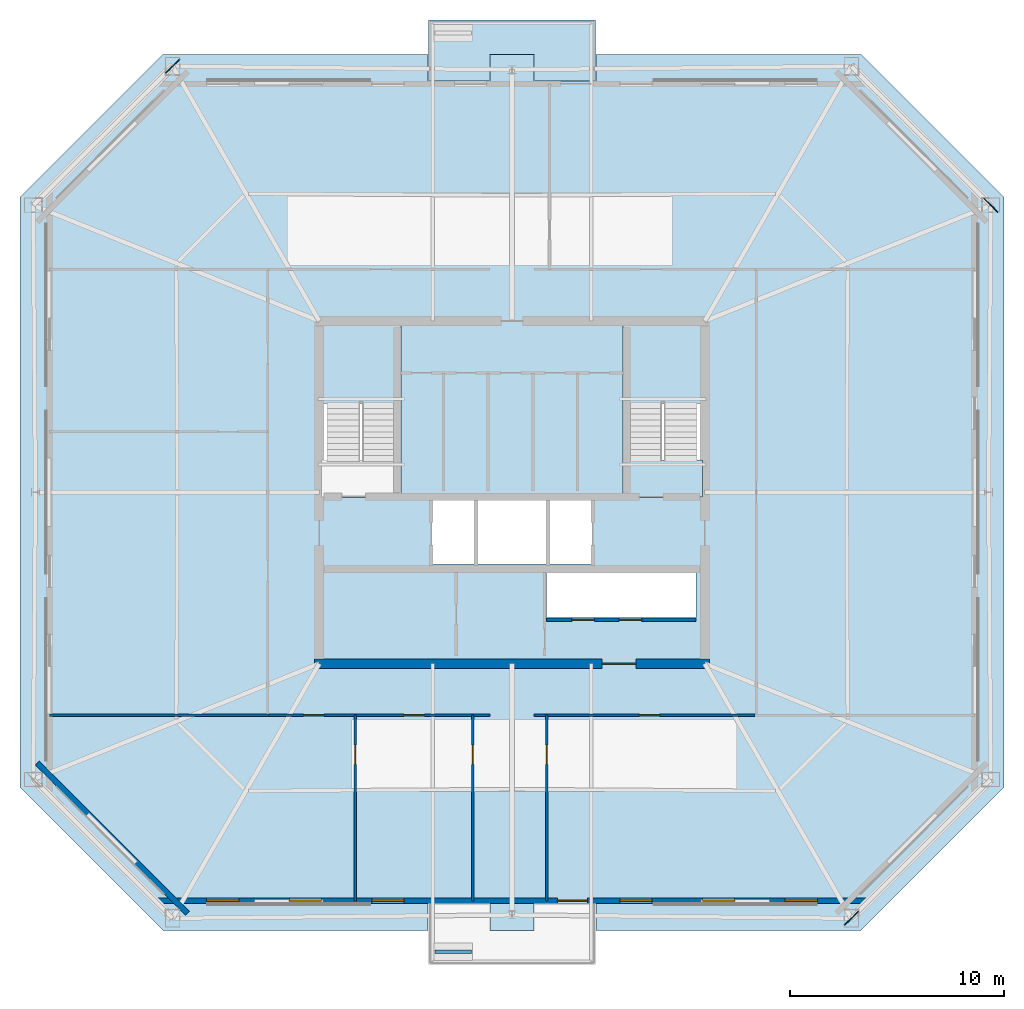
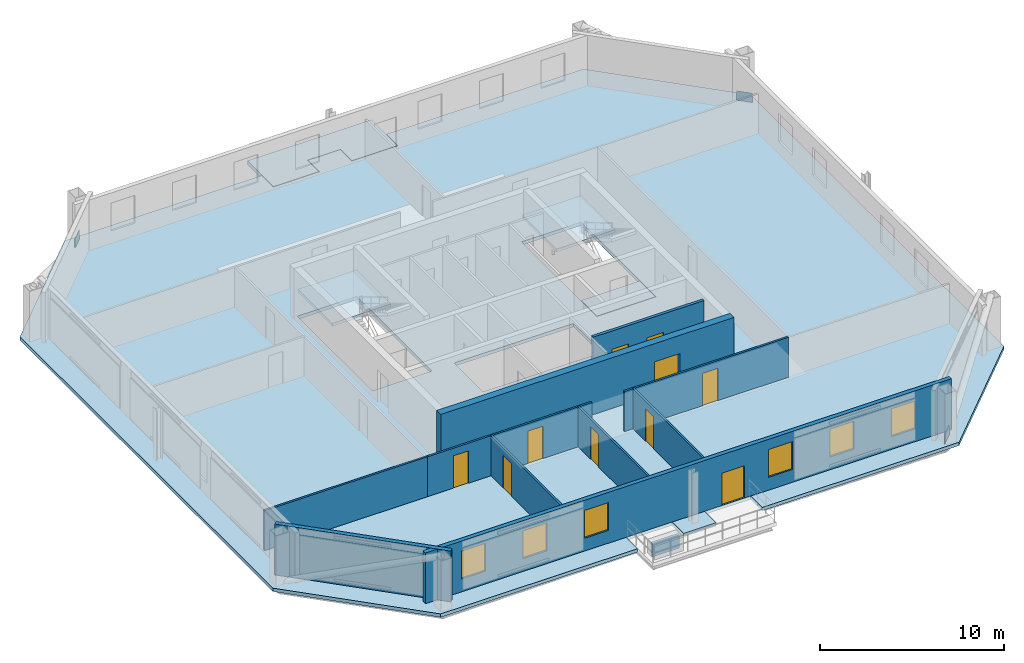
# One storey, part 2 of 7: 11 walls, 10 doors, 6 windows, 5 slabs, 3 plates, 16 openings, 2 elements without a shape of their own.
"""IFC4 building model written with IfcOpenShell, lengths in metres."""

from ifc_helpers import new_model, si_unit, direction, frame, frame_2d, origin, origin_2d, place, context, subcontext, project, spatial, polyline, rectangle, outline, extrude, material, layer, layer_set, type_object, element, fill, aggregate, save


model = new_model("IFC4")

# Units and contexts
model_context = context("Model", 3, precision=1e-05, world=origin(), true_north=direction((0.0, 1.0)))
body_context = subcontext(model_context, "Body", "Model", "MODEL_VIEW")
ifc_project = project(units=[si_unit("LENGTHUNIT", "METRE"), si_unit("AREAUNIT", "SQUARE_METRE"), si_unit("VOLUMEUNIT", "CUBIC_METRE"), si_unit("PLANEANGLEUNIT", "RADIAN"), si_unit("MASSUNIT", "GRAM", prefix="KILO")], contexts=[model_context])

# Site, building, storey
site_placement = place(None, origin())
site = spatial("IfcSite", under=ifc_project, at=site_placement, CompositionType="ELEMENT")
building_placement = place(site_placement, origin())
building = spatial("IfcBuilding", under=site, at=building_placement, Name="Caelvoria Tower", CompositionType="ELEMENT")
storey_placement = place(building_placement, frame((0.0, 0.0, 191.39990234375)))
storey = spatial("IfcBuildingStorey", under=building, at=storey_placement, Name="L50", CompositionType="ELEMENT", Elevation=191.39990234375)

# Plates
ifc_material_1 = material(Name="Structural Steel ASTM A572 Gr.50", Category="steel")
ifc_layer_1 = layer(ifc_material_1, 0.0400390625, Name="Structural Steel ASTM A572 Gr.50")
ifc_layer_set_1 = layer_set([ifc_layer_1], Name="Megaframe Node Gusset Plate 900x600x40 - Structural Steel ASTM A572 Gr.50")
plate_type = type_object("IfcPlateType", Name="Megaframe Node Gusset Plate 900x600x40", PredefinedType="USERDEFINED", material=ifc_layer_set_1)
for number, where, z_axis, x_axis, name in (
    (1, (61.851318359375, 12.10302734375, 0.02001953125), (0.0, 0.0, 1.0), (0.708405129544, 0.705806044488, 0.0), "Chamfer Mega Brace Gusset L50 SE"),
    (2, (68.362548828125, 45.40966796875, 0.02001953125), (0.0, 0.0, 1.0), (-0.708405129544, 0.705806044488, 0.0), "Chamfer Mega Brace Gusset L50 NE"),
    (3, (30.148681640625, 51.89697265625, 0.02001953125), (0.0, 0.0, 1.0), (-0.708405129544, -0.705806044488, 0.0), "Chamfer Mega Brace Gusset L50 NW"),
):
    element("IfcPlate", number, at=place(storey_placement, frame(where, z_axis=z_axis, x_axis=x_axis)), inside=storey, type_object=plate_type, Name=name, ObjectType="GUSSET_PLATE", PredefinedType="USERDEFINED", context=body_context, shape_type="SweptSolid", body=[
        extrude(rectangle(XDim=0.89990234375, YDim=0.0400390625, at=origin_2d()), origin(), (0.0, 0.0, 1.0), 0.60009765625),
    ])

# Stair, slab
ifc_material_2 = material(Name="Concrete C40/50", Category="concrete")
stair_type = type_object("IfcStairType", Name="Core Smokeproof Dogleg Stair Concrete C40/50", PredefinedType="HALF_TURN_STAIR", material=ifc_material_2)
stair_1_placement = place(storey_placement, origin())
stair_1 = element("IfcStair", 4, at=stair_1_placement, inside=storey, type_object=stair_type, Name="ST-01 Smokeproof Exit Stair L50", PredefinedType="HALF_TURN_STAIR")
ifc_layer_2 = layer(ifc_material_2, 0.199951171875, Name="Concrete C40/50")
ifc_layer_set_2 = layer_set([ifc_layer_2], Name="Stair Half and Floor Landing Slab 200 Concrete C40/50 - Concrete C40/50")
slab_type_1 = type_object("IfcSlabType", Name="Stair Half and Floor Landing Slab 200 Concrete C40/50", PredefinedType="LANDING", material=ifc_layer_set_2)
slab_1_placement = place(storey_placement, frame((0.0, 0.0, 1.60009765625)))
slab_1 = element("IfcSlab", 5, at=slab_1_placement, type_object=slab_type_1, Name="ST-01 landing 2", PredefinedType="LANDING", context=body_context, shape_type="SweptSolid", body=[
    extrude(outline(polyline([(37.10009765625, 36.14990234375), (40.800048828125, 36.14990234375), (40.800048828125, 39.89990234375), (37.10009765625, 39.89990234375), (37.10009765625, 36.14990234375)])), origin(), (0.0, 0.0, 1.0), 0.199951171875),
])
aggregate(stair_1, [slab_1])

# Stair, slabs
stair_2_placement = place(storey_placement, origin())
stair_2 = element("IfcStair", 6, at=stair_2_placement, inside=storey, type_object=stair_type, Name="ST-02 Smokeproof Exit Stair L50", PredefinedType="HALF_TURN_STAIR")
slab_2_placement = place(storey_placement, frame((0.0, 0.0, -0.199951171875)))
slab_2 = element("IfcSlab", 7, at=slab_2_placement, type_object=slab_type_1, Name="ST-02 landing 1", PredefinedType="LANDING", context=body_context, shape_type="SweptSolid", body=[
    extrude(outline(polyline([(51.199951171875, 31.77001953125), (54.89990234375, 31.77001953125), (54.89990234375, 33.5), (51.199951171875, 33.5), (51.199951171875, 31.77001953125)])), origin(), (0.0, 0.0, 1.0), 0.199951171875),
])
slab_3_placement = place(storey_placement, frame((0.0, 0.0, 1.60009765625)))
slab_3 = element("IfcSlab", 8, at=slab_3_placement, type_object=slab_type_1, Name="ST-02 landing 2", PredefinedType="LANDING", context=body_context, shape_type="SweptSolid", body=[
    extrude(outline(polyline([(51.199951171875, 36.14990234375), (54.89990234375, 36.14990234375), (54.89990234375, 39.89990234375), (51.199951171875, 39.89990234375), (51.199951171875, 36.14990234375)])), origin(), (0.0, 0.0, 1.0), 0.199951171875),
])
aggregate(stair_2, [slab_2, slab_3])

# Slabs
ifc_material_3 = material(Name="Concrete C45/55", Category="concrete")
ifc_layer_3 = layer(ifc_material_3, 0.25, Name="Concrete C45/55")
ifc_layer_set_3 = layer_set([ifc_layer_3], Name="Tree Balcony Structural Planter Slab 250 - Concrete C45/55")
slab_type_2 = type_object("IfcSlabType", Name="Tree Balcony Structural Planter Slab 250", PredefinedType="FLOOR", material=ifc_layer_set_3)
slab_4_placement = place(storey_placement, frame((0.0, 0.0, -0.25)))
element("IfcSlab", 9, at=slab_4_placement, inside=storey, type_object=slab_type_2, Name="Tree Balcony Slab TB-L50-N", PredefinedType="FLOOR", context=body_context, shape_type="SweptSolid", body=[
    extrude(outline(polyline([(42.10009765625, 54.06005859375), (42.10009765625, 52.4599609375), (42.10009765625, 51.219970703125), (44.9599609375, 51.219970703125), (44.9599609375, 52.4599609375), (47.0400390625, 52.4599609375), (47.0400390625, 51.219970703125), (49.89990234375, 51.219970703125), (49.89990234375, 52.4599609375), (49.89990234375, 54.06005859375), (42.10009765625, 54.06005859375)])), origin(), (0.0, 0.0, 1.0), 0.25),
])
ifc_layer_4 = layer(ifc_material_2, 0.22509765625, Name="Concrete C40/50")
ifc_layer_set_4 = layer_set([ifc_layer_4], Name="Upper Tower Composite Office Slab 225 - Concrete C40/50")
slab_type_3 = type_object("IfcSlabType", Name="Upper Tower Composite Office Slab 225", PredefinedType="FLOOR", material=ifc_layer_set_4)
slab_5_placement = place(storey_placement, frame((0.0, 0.0, -0.224853515625)))
element("IfcSlab", 10, at=slab_5_placement, inside=storey, type_object=slab_type_3, Name="Level L50 Structural Floor Slab", PredefinedType="FLOOR", context=body_context, shape_type="SweptSolid", body=[
    extrude(outline(polyline([(23.02001953125, 45.780029296875), (23.02001953125, 18.219970703125), (29.699951171875, 11.5400390625), (42.080078125, 11.5400390625), (42.080078125, 12.800048828125), (44.97998046875, 12.800048828125), (44.97998046875, 11.5400390625), (47.02001953125, 11.5400390625), (47.02001953125, 12.800048828125), (49.919921875, 12.800048828125), (49.919921875, 11.5400390625), (62.300048828125, 11.5400390625), (68.97998046875, 18.219970703125), (68.97998046875, 45.780029296875), (62.300048828125, 52.4599609375), (49.919921875, 52.4599609375), (49.919921875, 51.199951171875), (47.02001953125, 51.199951171875), (47.02001953125, 52.4599609375), (44.97998046875, 52.4599609375), (44.97998046875, 51.199951171875), (42.080078125, 51.199951171875), (42.080078125, 52.4599609375), (29.699951171875, 52.4599609375), (23.02001953125, 45.780029296875)]), holes=[polyline([(37.080078125, 31.75), (40.820068359375, 31.75), (40.820068359375, 39.919921875), (37.080078125, 39.919921875), (37.080078125, 31.75)]), polyline([(51.179931640625, 31.75), (54.919921875, 31.75), (54.919921875, 39.919921875), (51.179931640625, 39.919921875), (51.179931640625, 31.75)]), polyline([(42.25, 28.64990234375), (49.75, 28.64990234375), (49.75, 31.800048828125), (42.25, 31.800048828125), (42.25, 28.64990234375)]), polyline([(47.60009765625, 26.14990234375), (54.60009765625, 26.14990234375), (54.60009765625, 28.25), (47.60009765625, 28.25), (47.60009765625, 26.14990234375)])]), origin(), (0.0, 0.0, 1.0), 0.224853515625),
])

# Wall
ifc_material_4 = material(Name="Bronze-Clad Concrete C40/50", Category="concrete")
ifc_layer_5 = layer(ifc_material_4, 0.179931640625, Name="Bronze-Clad Concrete C40/50")
ifc_layer_set_5 = layer_set([ifc_layer_5], Name="Architectural Planter Kerb Wall 180 - Bronze-Clad Concrete C40/50")
wall_type_1 = type_object("IfcWallType", Name="Architectural Planter Kerb Wall 180", PredefinedType="PARAPET", material=ifc_layer_set_5)
wall_1_placement = place(storey_placement, frame((42.39990234375, 10.5400390625, 0.0), z_axis=(0.0, 0.0, 1.0), x_axis=(1.0, 0.0, 0.0)))
element("IfcWall", 11, at=wall_1_placement, inside=storey, type_object=wall_type_1, Name="Tree Balcony Planter Kerb PLANTER TB-L50-S", PredefinedType="PARAPET", context=body_context, shape_type="SweptSolid", body=[
    extrude(rectangle(XDim=1.7001953125, YDim=0.179931640625, at=frame_2d((0.85009765625, 0.0))), origin(), (0.0, 0.0, 1.0), 0.880126953125),
])

# Wall, openings, doors
ifc_material_5 = material(Name="Concrete Block and Fireboard Assembly", Category="concrete")
ifc_layer_6 = layer(ifc_material_5, 0.179931640625, Name="Concrete Block and Fireboard Assembly")
ifc_layer_set_6 = layer_set([ifc_layer_6], Name="Fire-Rated Hoistway Partition Wall 180 - Concrete Block and Fireboard Assembly")
wall_type_2 = type_object("IfcWallType", Name="Fire-Rated Hoistway Partition Wall 180", PredefinedType="PARTITIONING", material=ifc_layer_set_6)
wall_2_placement = place(storey_placement, frame((47.60009765625, 26.050048828125, 0.0), z_axis=(0.0, 0.0, 1.0), x_axis=(1.0, 0.0, 0.0)))
wall_2 = element("IfcWall", 12, at=wall_2_placement, inside=storey, type_object=wall_type_2, Name="Interior Partition IW-L50-LFRONT", PredefinedType="PARTITIONING", context=body_context, shape_type="SweptSolid", body=[
    extrude(rectangle(XDim=7.0, YDim=0.179931640625, at=frame_2d((3.5, 0.0))), origin(), (0.0, 0.0, 1.0), 3.375),
])
opening_1_placement = place(wall_2_placement, frame((1.199951171875, 0.0, 0.0)))
opening_1 = element("IfcOpeningElement", 13, at=opening_1_placement, cuts=wall_2, Name="Opening LD-01", PredefinedType="OPENING", context=body_context, shape_type="SweptSolid", body=[
    extrude(rectangle(XDim=1.050048828125, YDim=2.14990234375, at=frame_2d((0.52490234375, 1.074951171875))), frame((0.0, 0.099853515625, 0.0), z_axis=(0.0, -1.0, 0.0), x_axis=(1.0, 0.0, 0.0)), (0.0, 0.0, 1.0), 0.199951171875),
])
opening_2_placement = place(wall_2_placement, frame((3.39990234375, 0.0, 0.0)))
opening_2 = element("IfcOpeningElement", 14, at=opening_2_placement, cuts=wall_2, Name="Opening LD-01", PredefinedType="OPENING", context=body_context, shape_type="SweptSolid", body=[
    extrude(rectangle(XDim=1.050048828125, YDim=2.14990234375, at=frame_2d((0.52490234375, 1.074951171875))), frame((0.0, 0.099853515625, 0.0), z_axis=(0.0, -1.0, 0.0), x_axis=(1.0, 0.0, 0.0)), (0.0, 0.0, 1.0), 0.199951171875),
])
ifc_material_6 = material(Name="Brushed Bronze Stainless Sliding Landing Door", Category="aluminium")
door_type_1 = type_object("IfcDoorType", Name="Lift Landing Sliding Door 1100x2150", OperationType="NOTDEFINED", PredefinedType="DOOR", material=ifc_material_6)
door_1_placement = place(opening_1_placement, origin())
door_1 = element("IfcDoor", 15, at=door_1_placement, inside=storey, type_object=door_type_1, Name="Interior Door LD-L50-PH1", OperationType="SLIDING_TO_LEFT", OverallHeight=2.14990234375, OverallWidth=1.050048828125, PredefinedType="DOOR", context=body_context, shape_type="SweptSolid", body=[
    extrude(rectangle(XDim=1.050048828125, YDim=2.14990234375, at=frame_2d((0.52490234375, 1.074951171875))), frame((0.0, 0.02490234375, 0.0), z_axis=(0.0, -1.0, 0.0), x_axis=(1.0, 0.0, 0.0)), (0.0, 0.0, 1.0), 0.050048828125),
])
fill(opening_1, door_1)
door_2_placement = place(opening_2_placement, origin())
door_2 = element("IfcDoor", 16, at=door_2_placement, inside=storey, type_object=door_type_1, Name="Interior Door LD-L50-PH2", OperationType="SLIDING_TO_RIGHT", OverallHeight=2.14990234375, OverallWidth=1.050048828125, PredefinedType="DOOR", context=body_context, shape_type="SweptSolid", body=[
    extrude(rectangle(XDim=1.050048828125, YDim=2.14990234375, at=frame_2d((0.52490234375, 1.074951171875))), frame((0.0, 0.02490234375, 0.0), z_axis=(0.0, -1.0, 0.0), x_axis=(1.0, 0.0, 0.0)), (0.0, 0.0, 1.0), 0.050048828125),
])
fill(opening_2, door_2)

# Wall, opening, door
ifc_material_7 = material(Name="Acoustic Gypsum Board on Light-Gauge Stud", Category="gypsum")
ifc_layer_7 = layer(ifc_material_7, 0.1201171875, Name="Acoustic Gypsum Board on Light-Gauge Stud")
ifc_layer_set_7 = layer_set([ifc_layer_7], Name="Tenant Suite Acoustic Partition Wall 120 - Acoustic Gypsum Board on Light-Gauge Stud")
wall_type_3 = type_object("IfcWallType", Name="Tenant Suite Acoustic Partition Wall 120", PredefinedType="PARTITIONING", material=ifc_layer_set_7)
wall_3_placement = place(storey_placement, frame((38.687255859375, 21.590087890625, 0.0), z_axis=(0.0, 0.0, 1.0), x_axis=(0.0, -1.0, 0.0)))
wall_3 = element("IfcWall", 17, at=wall_3_placement, inside=storey, type_object=wall_type_3, Name="Interior Partition IW-L50-SD-00-0", PredefinedType="PARTITIONING", context=body_context, shape_type="SweptSolid", body=[
    extrude(rectangle(XDim=8.670166015625, YDim=0.1201171875, at=frame_2d((4.3349609375, 0.0))), origin(), (0.0, 0.0, 1.0), 2.655029296875),
])
opening_3_placement = place(wall_3_placement, frame((1.39990234375, 0.0, 0.0)))
opening_3 = element("IfcOpeningElement", 18, at=opening_3_placement, cuts=wall_3, Name="Opening ID-06", PredefinedType="OPENING", context=body_context, shape_type="SweptSolid", body=[
    extrude(rectangle(XDim=0.89990234375, YDim=2.14990234375, at=frame_2d((0.449951171875, 1.074951171875))), frame((0.0, 0.070068359375, 0.0), z_axis=(0.0, -1.0, 0.0), x_axis=(1.0, 0.0, 0.0)), (0.0, 0.0, 1.0), 0.14013671875),
])
ifc_material_8 = material(Name="Engineered Andean Oak Veneer Door", Category="wood")
door_type_2 = type_object("IfcDoorType", Name="Interior Timber Door 900x2150", OperationType="NOTDEFINED", PredefinedType="DOOR", material=ifc_material_8)
door_3_placement = place(opening_3_placement, origin())
door_3 = element("IfcDoor", 19, at=door_3_placement, inside=storey, type_object=door_type_2, Name="Interior Door DR-L50-SM-00-0", OperationType="SINGLE_SWING_RIGHT", OverallHeight=2.14990234375, OverallWidth=0.89990234375, PredefinedType="DOOR", context=body_context, shape_type="SweptSolid", body=[
    extrude(rectangle(XDim=0.89990234375, YDim=2.14990234375, at=frame_2d((0.449951171875, 1.074951171875))), frame((0.0, 0.02490234375, 0.0), z_axis=(0.0, -1.0, 0.0), x_axis=(1.0, 0.0, 0.0)), (0.0, 0.0, 1.0), 0.050048828125),
])
fill(opening_3, door_3)

wall_4_placement = place(storey_placement, frame((44.17578125, 21.590087890625, 0.0), z_axis=(0.0, 0.0, 1.0), x_axis=(0.0, -1.0, 0.0)))
wall_4 = element("IfcWall", 20, at=wall_4_placement, inside=storey, type_object=wall_type_3, Name="Interior Partition IW-L50-SD-01-0", PredefinedType="PARTITIONING", context=body_context, shape_type="SweptSolid", body=[
    extrude(rectangle(XDim=8.670166015625, YDim=0.1201171875, at=frame_2d((4.3349609375, 0.0))), origin(), (0.0, 0.0, 1.0), 2.655029296875),
])
opening_4_placement = place(wall_4_placement, frame((1.39990234375, 0.0, 0.0)))
opening_4 = element("IfcOpeningElement", 21, at=opening_4_placement, cuts=wall_4, Name="Opening ID-06", PredefinedType="OPENING", context=body_context, shape_type="SweptSolid", body=[
    extrude(rectangle(XDim=0.89990234375, YDim=2.14990234375, at=frame_2d((0.449951171875, 1.074951171875))), frame((0.0, 0.070068359375, 0.0), z_axis=(0.0, -1.0, 0.0), x_axis=(1.0, 0.0, 0.0)), (0.0, 0.0, 1.0), 0.14013671875),
])
door_4_placement = place(opening_4_placement, origin())
door_4 = element("IfcDoor", 22, at=door_4_placement, inside=storey, type_object=door_type_2, Name="Interior Door DR-L50-SM-01-0", OperationType="SINGLE_SWING_LEFT", OverallHeight=2.14990234375, OverallWidth=0.89990234375, PredefinedType="DOOR", context=body_context, shape_type="SweptSolid", body=[
    extrude(rectangle(XDim=0.89990234375, YDim=2.14990234375, at=frame_2d((0.449951171875, 1.074951171875))), frame((0.0, 0.02490234375, 0.0), z_axis=(0.0, -1.0, 0.0), x_axis=(1.0, 0.0, 0.0)), (0.0, 0.0, 1.0), 0.050048828125),
])
fill(opening_4, door_4)

wall_5_placement = place(storey_placement, frame((47.628662109375, 21.590087890625, 0.0), z_axis=(0.0, 0.0, 1.0), x_axis=(0.0, -1.0, 0.0)))
wall_5 = element("IfcWall", 23, at=wall_5_placement, inside=storey, type_object=wall_type_3, Name="Interior Partition IW-L50-SD-02-0", PredefinedType="PARTITIONING", context=body_context, shape_type="SweptSolid", body=[
    extrude(rectangle(XDim=8.670166015625, YDim=0.1201171875, at=frame_2d((4.3349609375, 0.0))), origin(), (0.0, 0.0, 1.0), 2.655029296875),
])
opening_5_placement = place(wall_5_placement, frame((1.39990234375, 0.0, 0.0)))
opening_5 = element("IfcOpeningElement", 24, at=opening_5_placement, cuts=wall_5, Name="Opening ID-06", PredefinedType="OPENING", context=body_context, shape_type="SweptSolid", body=[
    extrude(rectangle(XDim=0.89990234375, YDim=2.14990234375, at=frame_2d((0.449951171875, 1.074951171875))), frame((0.0, 0.070068359375, 0.0), z_axis=(0.0, -1.0, 0.0), x_axis=(1.0, 0.0, 0.0)), (0.0, 0.0, 1.0), 0.14013671875),
])
door_5_placement = place(opening_5_placement, origin())
door_5 = element("IfcDoor", 25, at=door_5_placement, inside=storey, type_object=door_type_2, Name="Interior Door DR-L50-SM-02-0", OperationType="SINGLE_SWING_RIGHT", OverallHeight=2.14990234375, OverallWidth=0.89990234375, PredefinedType="DOOR", context=body_context, shape_type="SweptSolid", body=[
    extrude(rectangle(XDim=0.89990234375, YDim=2.14990234375, at=frame_2d((0.449951171875, 1.074951171875))), frame((0.0, 0.02490234375, 0.0), z_axis=(0.0, -1.0, 0.0), x_axis=(1.0, 0.0, 0.0)), (0.0, 0.0, 1.0), 0.050048828125),
])
fill(opening_5, door_5)

# Wall, openings, doors
wall_6_placement = place(storey_placement, frame((34.64990234375, 21.590087890625, 0.0), z_axis=(0.0, 0.0, 1.0), x_axis=(1.0, 0.0, 0.0)))
wall_6 = element("IfcWall", 26, at=wall_6_placement, inside=storey, type_object=wall_type_3, Name="Interior Partition IW-L50-SCW-0", PredefinedType="PARTITIONING", context=body_context, shape_type="SweptSolid", body=[
    extrude(rectangle(XDim=10.330078125, YDim=0.1201171875, at=frame_2d((5.1650390625, 0.0))), origin(), (0.0, 0.0, 1.0), 2.655029296875),
])
opening_6_placement = place(wall_6_placement, frame((1.613525390625, 0.0, 0.0)))
opening_6 = element("IfcOpeningElement", 27, at=opening_6_placement, cuts=wall_6, Name="Opening ID-05", PredefinedType="OPENING", context=body_context, shape_type="SweptSolid", body=[
    extrude(rectangle(XDim=0.949951171875, YDim=2.14990234375, at=frame_2d((0.47509765625, 1.074951171875))), frame((0.0, 0.070068359375, 0.0), z_axis=(0.0, -1.0, 0.0), x_axis=(1.0, 0.0, 0.0)), (0.0, 0.0, 1.0), 0.14013671875),
])
opening_7_placement = place(wall_6_placement, frame((6.306396484375, 0.0, 0.0)))
opening_7 = element("IfcOpeningElement", 28, at=opening_7_placement, cuts=wall_6, Name="Opening ID-05", PredefinedType="OPENING", context=body_context, shape_type="SweptSolid", body=[
    extrude(rectangle(XDim=0.949951171875, YDim=2.14990234375, at=frame_2d((0.47509765625, 1.074951171875))), frame((0.0, 0.070068359375, 0.0), z_axis=(0.0, -1.0, 0.0), x_axis=(1.0, 0.0, 0.0)), (0.0, 0.0, 1.0), 0.14013671875),
])
door_type_3 = type_object("IfcDoorType", Name="Interior Timber Door 950x2150", OperationType="NOTDEFINED", PredefinedType="DOOR", material=ifc_material_8)
door_6_placement = place(opening_6_placement, origin())
door_6 = element("IfcDoor", 29, at=door_6_placement, inside=storey, type_object=door_type_3, Name="Interior Door DR-L50-SC-00-0", OperationType="SINGLE_SWING_LEFT", OverallHeight=2.14990234375, OverallWidth=0.949951171875, PredefinedType="DOOR", context=body_context, shape_type="SweptSolid", body=[
    extrude(rectangle(XDim=0.949951171875, YDim=2.14990234375, at=frame_2d((0.47509765625, 1.074951171875))), frame((0.0, 0.02490234375, 0.0), z_axis=(0.0, -1.0, 0.0), x_axis=(1.0, 0.0, 0.0)), (0.0, 0.0, 1.0), 0.050048828125),
])
fill(opening_6, door_6)
door_7_placement = place(opening_7_placement, origin())
door_7 = element("IfcDoor", 30, at=door_7_placement, inside=storey, type_object=door_type_3, Name="Interior Door DR-L50-SC-01-0", OperationType="SINGLE_SWING_RIGHT", OverallHeight=2.14990234375, OverallWidth=0.949951171875, PredefinedType="DOOR", context=body_context, shape_type="SweptSolid", body=[
    extrude(rectangle(XDim=0.949951171875, YDim=2.14990234375, at=frame_2d((0.47509765625, 1.074951171875))), frame((0.0, 0.02490234375, 0.0), z_axis=(0.0, -1.0, 0.0), x_axis=(1.0, 0.0, 0.0)), (0.0, 0.0, 1.0), 0.050048828125),
])
fill(opening_7, door_7)

# Wall, opening, door
wall_7_placement = place(storey_placement, frame((47.02001953125, 21.590087890625, 0.0), z_axis=(0.0, 0.0, 1.0), x_axis=(1.0, 0.0, 0.0)))
wall_7 = element("IfcWall", 31, at=wall_7_placement, inside=storey, type_object=wall_type_3, Name="Interior Partition IW-L50-SCW-1", PredefinedType="PARTITIONING", context=body_context, shape_type="SweptSolid", body=[
    extrude(rectangle(XDim=10.330078125, YDim=0.1201171875, at=frame_2d((5.1650390625, 0.0))), origin(), (0.0, 0.0, 1.0), 2.655029296875),
])
opening_8_placement = place(wall_7_placement, frame((4.92431640625, 0.0, 0.0)))
opening_8 = element("IfcOpeningElement", 32, at=opening_8_placement, cuts=wall_7, Name="Opening ID-05", PredefinedType="OPENING", context=body_context, shape_type="SweptSolid", body=[
    extrude(rectangle(XDim=0.949951171875, YDim=2.14990234375, at=frame_2d((0.47509765625, 1.074951171875))), frame((0.0, 0.070068359375, 0.0), z_axis=(0.0, -1.0, 0.0), x_axis=(1.0, 0.0, 0.0)), (0.0, 0.0, 1.0), 0.14013671875),
])
door_8_placement = place(opening_8_placement, origin())
door_8 = element("IfcDoor", 33, at=door_8_placement, inside=storey, type_object=door_type_3, Name="Interior Door DR-L50-SC-03-0", OperationType="SINGLE_SWING_RIGHT", OverallHeight=2.14990234375, OverallWidth=0.949951171875, PredefinedType="DOOR", context=body_context, shape_type="SweptSolid", body=[
    extrude(rectangle(XDim=0.949951171875, YDim=2.14990234375, at=frame_2d((0.47509765625, 1.074951171875))), frame((0.0, 0.02490234375, 0.0), z_axis=(0.0, -1.0, 0.0), x_axis=(1.0, 0.0, 0.0)), (0.0, 0.0, 1.0), 0.050048828125),
])
fill(opening_8, door_8)

# Wall
wall_8_placement = place(storey_placement, frame((34.64990234375, 21.590087890625, 0.0), z_axis=(0.0, 0.0, 1.0), x_axis=(-1.0, 0.0, 0.0)))
element("IfcWall", 34, at=wall_8_placement, inside=storey, type_object=wall_type_3, Name="Interior Partition IW-L50-BSW-0", PredefinedType="PARTITIONING", context=body_context, shape_type="SweptSolid", body=[
    extrude(rectangle(XDim=10.25, YDim=0.1201171875, at=frame_2d((5.125, 0.0))), origin(), (0.0, 0.0, 1.0), 2.655029296875),
])

# Wall, opening, door
ifc_material_9 = material(Name="Concrete C50/60", Category="concrete")
ifc_layer_8 = layer(ifc_material_9, 0.449951171875, Name="Concrete C50/60")
ifc_layer_set_8 = layer_set([ifc_layer_8], Name="Upper Core Shear Wall 450 - Concrete C50/60")
wall_type_4 = type_object("IfcWallType", Name="Upper Core Shear Wall 450", PredefinedType="SHEAR", material=ifc_layer_set_8)
wall_9_placement = place(storey_placement, frame((36.77490234375, 24.0, 0.0), z_axis=(0.0, 0.0, 1.0), x_axis=(1.0, 0.0, 0.0)))
wall_9 = element("IfcWall", 35, at=wall_9_placement, inside=storey, type_object=wall_type_4, Name="Core Shear Wall L50 S", PredefinedType="SHEAR", context=body_context, shape_type="SweptSolid", body=[
    extrude(rectangle(XDim=18.4501953125, YDim=0.449951171875, at=frame_2d((9.22509765625, 0.0))), origin(), (0.0, 0.0, 1.0), 3.360107421875),
])
opening_9_placement = place(wall_9_placement, frame((13.425048828125, 0.0, 0.0)))
opening_9 = element("IfcOpeningElement", 36, at=opening_9_placement, cuts=wall_9, Name="Opening ID-08", PredefinedType="OPENING", context=body_context, shape_type="SweptSolid", body=[
    extrude(rectangle(XDim=1.60009765625, YDim=2.14990234375, at=frame_2d((0.800048828125, 1.074951171875))), frame((0.0, 0.23486328125, 0.0), z_axis=(0.0, -1.0, 0.0), x_axis=(1.0, 0.0, 0.0)), (0.0, 0.0, 1.0), 0.469970703125),
])
ifc_material_10 = material(Name="Bronze-Framed Fire-Rated Glazed Double Door", Category="aluminium")
door_type_4 = type_object("IfcDoorType", Name="Double Lobby Glazed Door 1600x2200", OperationType="NOTDEFINED", PredefinedType="DOOR", material=ifc_material_10)
door_9_placement = place(opening_9_placement, origin())
door_9 = element("IfcDoor", 37, at=door_9_placement, inside=storey, type_object=door_type_4, Name="Core Door DR-L50-LLOB-S2", OperationType="DOUBLE_DOOR_SINGLE_SWING", OverallHeight=2.14990234375, OverallWidth=1.60009765625, PredefinedType="DOOR", context=body_context, shape_type="SweptSolid", body=[
    extrude(rectangle(XDim=1.60009765625, YDim=2.14990234375, at=frame_2d((0.800048828125, 1.074951171875))), frame((0.0, 0.02490234375, 0.0), z_axis=(0.0, -1.0, 0.0), x_axis=(1.0, 0.0, 0.0)), (0.0, 0.0, 1.0), 0.050048828125),
])
fill(opening_9, door_9)

# Wall, openings, door, windows
ifc_material_11 = material(Name="Precast Concrete C40/50 with Bronze Cladding", Category="concrete")
ifc_layer_9 = layer(ifc_material_11, 0.264892578125, Name="Precast Concrete C40/50 with Bronze Cladding")
ifc_layer_set_9 = layer_set([ifc_layer_9], Name="Upper Taper Precast Concrete C40/50 Bronze Facade Wall 265 - Precast Concrete C40/50 with Bronze Cladding")
wall_type_5 = type_object("IfcWallType", Name="Upper Taper Precast Concrete C40/50 Bronze Facade Wall 265", PredefinedType="STANDARD", material=ifc_layer_set_9)
wall_10_placement = place(storey_placement, frame((29.4599609375, 12.919921875, 0.0), z_axis=(0.0, 0.0, 1.0), x_axis=(1.0, 0.0, 0.0)))
wall_10 = element("IfcWall", 38, at=wall_10_placement, inside=storey, type_object=wall_type_5, Name="Exterior Facade Wall L50-E0", PredefinedType="STANDARD", context=body_context, shape_type="SweptSolid", body=[
    extrude(rectangle(XDim=33.080078125, YDim=0.264892578125, at=frame_2d((16.5400390625, 0.0))), origin(), (0.0, 0.0, 1.0), 3.375),
])
opening_10_placement = place(wall_10_placement, frame((18.6650390625, 0.0, 0.0)))
opening_10 = element("IfcOpeningElement", 39, at=opening_10_placement, cuts=wall_10, Name="Opening ED-04", PredefinedType="OPENING", context=body_context, shape_type="SweptSolid", body=[
    extrude(rectangle(XDim=1.39990234375, YDim=2.14990234375, at=frame_2d((0.699951171875, 1.074951171875))), frame((0.0, 0.142333984375, 0.0), z_axis=(0.0, -1.0, 0.0), x_axis=(1.0, 0.0, 0.0)), (0.0, 0.0, 1.0), 0.284912109375),
])
opening_11_placement = place(wall_10_placement, frame((2.280029296875, 0.0, 0.85009765625)))
opening_11 = element("IfcOpeningElement", 40, at=opening_11_placement, cuts=wall_10, Name="Opening WN-03", PredefinedType="OPENING", context=body_context, shape_type="SweptSolid", body=[
    extrude(rectangle(XDim=1.5, YDim=1.85009765625, at=frame_2d((0.75, 0.925048828125))), frame((0.0, 0.142333984375, 0.0), z_axis=(0.0, -1.0, 0.0), x_axis=(1.0, 0.0, 0.0)), (0.0, 0.0, 1.0), 0.284912109375),
])
opening_12_placement = place(wall_10_placement, frame((6.139892578125, 0.0, 0.85009765625)))
opening_12 = element("IfcOpeningElement", 41, at=opening_12_placement, cuts=wall_10, Name="Opening WN-03", PredefinedType="OPENING", context=body_context, shape_type="SweptSolid", body=[
    extrude(rectangle(XDim=1.5, YDim=1.85009765625, at=frame_2d((0.75, 0.925048828125))), frame((0.0, 0.142333984375, 0.0), z_axis=(0.0, -1.0, 0.0), x_axis=(1.0, 0.0, 0.0)), (0.0, 0.0, 1.0), 0.284912109375),
])
opening_13_placement = place(wall_10_placement, frame((10.0, 0.0, 0.85009765625)))
opening_13 = element("IfcOpeningElement", 42, at=opening_13_placement, cuts=wall_10, Name="Opening WN-03", PredefinedType="OPENING", context=body_context, shape_type="SweptSolid", body=[
    extrude(rectangle(XDim=1.5, YDim=1.85009765625, at=frame_2d((0.75, 0.925048828125))), frame((0.0, 0.142333984375, 0.0), z_axis=(0.0, -1.0, 0.0), x_axis=(1.0, 0.0, 0.0)), (0.0, 0.0, 1.0), 0.284912109375),
])
opening_14_placement = place(wall_10_placement, frame((21.580078125, 0.0, 0.85009765625)))
opening_14 = element("IfcOpeningElement", 43, at=opening_14_placement, cuts=wall_10, Name="Opening WN-03", PredefinedType="OPENING", context=body_context, shape_type="SweptSolid", body=[
    extrude(rectangle(XDim=1.5, YDim=1.85009765625, at=frame_2d((0.75, 0.925048828125))), frame((0.0, 0.142333984375, 0.0), z_axis=(0.0, -1.0, 0.0), x_axis=(1.0, 0.0, 0.0)), (0.0, 0.0, 1.0), 0.284912109375),
])
opening_15_placement = place(wall_10_placement, frame((25.43994140625, 0.0, 0.85009765625)))
opening_15 = element("IfcOpeningElement", 44, at=opening_15_placement, cuts=wall_10, Name="Opening WN-03", PredefinedType="OPENING", context=body_context, shape_type="SweptSolid", body=[
    extrude(rectangle(XDim=1.5, YDim=1.85009765625, at=frame_2d((0.75, 0.925048828125))), frame((0.0, 0.142333984375, 0.0), z_axis=(0.0, -1.0, 0.0), x_axis=(1.0, 0.0, 0.0)), (0.0, 0.0, 1.0), 0.284912109375),
])
opening_16_placement = place(wall_10_placement, frame((29.300048828125, 0.0, 0.85009765625)))
opening_16 = element("IfcOpeningElement", 45, at=opening_16_placement, cuts=wall_10, Name="Opening WN-03", PredefinedType="OPENING", context=body_context, shape_type="SweptSolid", body=[
    extrude(rectangle(XDim=1.5, YDim=1.85009765625, at=frame_2d((0.75, 0.925048828125))), frame((0.0, 0.142333984375, 0.0), z_axis=(0.0, -1.0, 0.0), x_axis=(1.0, 0.0, 0.0)), (0.0, 0.0, 1.0), 0.284912109375),
])
ifc_material_12 = material(Name="Anodised Bronze Aluminium and Laminated Glass", Category="aluminium")
door_type_5 = type_object("IfcDoorType", Name="Tree Balcony Glazed Door 1400x2150", OperationType="NOTDEFINED", PredefinedType="DOOR", material=ifc_material_12)
door_10_placement = place(opening_10_placement, origin())
door_10 = element("IfcDoor", 46, at=door_10_placement, inside=storey, type_object=door_type_5, Name="Tree Balcony Door L50-S", OperationType="SINGLE_SWING_LEFT", OverallHeight=2.14990234375, OverallWidth=1.39990234375, PredefinedType="DOOR", context=body_context, shape_type="SweptSolid", body=[
    extrude(rectangle(XDim=1.39990234375, YDim=2.14990234375, at=frame_2d((0.699951171875, 1.074951171875))), frame((0.0, 0.02490234375, 0.0), z_axis=(0.0, -1.0, 0.0), x_axis=(1.0, 0.0, 0.0)), (0.0, 0.0, 1.0), 0.050048828125),
])
fill(opening_10, door_10)
ifc_material_13 = material(Name="Low-E Tinted Glass in Bronze Aluminium Frame", Category="aluminium")
window_type = type_object("IfcWindowType", Name="Upper Taper Vision Window 1500x1850", PartitioningType="SINGLE_PANEL", PredefinedType="WINDOW", material=ifc_material_13)
window_1_placement = place(opening_11_placement, origin())
window_1 = element("IfcWindow", 47, at=window_1_placement, inside=storey, type_object=window_type, Name="Facade Window L50-E0-00", OverallHeight=1.85009765625, OverallWidth=1.5, PartitioningType="SINGLE_PANEL", PredefinedType="WINDOW", context=body_context, shape_type="SweptSolid", body=[
    extrude(rectangle(XDim=1.5, YDim=1.85009765625, at=frame_2d((0.75, 0.925048828125))), frame((0.0, 0.030029296875, 0.0), z_axis=(0.0, -1.0, 0.0), x_axis=(1.0, 0.0, 0.0)), (0.0, 0.0, 1.0), 0.06005859375),
])
fill(opening_11, window_1)
window_2_placement = place(opening_12_placement, origin())
window_2 = element("IfcWindow", 48, at=window_2_placement, inside=storey, type_object=window_type, Name="Facade Window L50-E0-01", OverallHeight=1.85009765625, OverallWidth=1.5, PartitioningType="SINGLE_PANEL", PredefinedType="WINDOW", context=body_context, shape_type="SweptSolid", body=[
    extrude(rectangle(XDim=1.5, YDim=1.85009765625, at=frame_2d((0.75, 0.925048828125))), frame((0.0, 0.030029296875, 0.0), z_axis=(0.0, -1.0, 0.0), x_axis=(1.0, 0.0, 0.0)), (0.0, 0.0, 1.0), 0.06005859375),
])
fill(opening_12, window_2)
window_3_placement = place(opening_13_placement, origin())
window_3 = element("IfcWindow", 49, at=window_3_placement, inside=storey, type_object=window_type, Name="Facade Window L50-E0-02", OverallHeight=1.85009765625, OverallWidth=1.5, PartitioningType="SINGLE_PANEL", PredefinedType="WINDOW", context=body_context, shape_type="SweptSolid", body=[
    extrude(rectangle(XDim=1.5, YDim=1.85009765625, at=frame_2d((0.75, 0.925048828125))), frame((0.0, 0.030029296875, 0.0), z_axis=(0.0, -1.0, 0.0), x_axis=(1.0, 0.0, 0.0)), (0.0, 0.0, 1.0), 0.06005859375),
])
fill(opening_13, window_3)
window_4_placement = place(opening_14_placement, origin())
window_4 = element("IfcWindow", 50, at=window_4_placement, inside=storey, type_object=window_type, Name="Facade Window L50-E0-05", OverallHeight=1.85009765625, OverallWidth=1.5, PartitioningType="SINGLE_PANEL", PredefinedType="WINDOW", context=body_context, shape_type="SweptSolid", body=[
    extrude(rectangle(XDim=1.5, YDim=1.85009765625, at=frame_2d((0.75, 0.925048828125))), frame((0.0, 0.030029296875, 0.0), z_axis=(0.0, -1.0, 0.0), x_axis=(1.0, 0.0, 0.0)), (0.0, 0.0, 1.0), 0.06005859375),
])
fill(opening_14, window_4)
window_5_placement = place(opening_15_placement, origin())
window_5 = element("IfcWindow", 51, at=window_5_placement, inside=storey, type_object=window_type, Name="Facade Window L50-E0-06", OverallHeight=1.85009765625, OverallWidth=1.5, PartitioningType="SINGLE_PANEL", PredefinedType="WINDOW", context=body_context, shape_type="SweptSolid", body=[
    extrude(rectangle(XDim=1.5, YDim=1.85009765625, at=frame_2d((0.75, 0.925048828125))), frame((0.0, 0.030029296875, 0.0), z_axis=(0.0, -1.0, 0.0), x_axis=(1.0, 0.0, 0.0)), (0.0, 0.0, 1.0), 0.06005859375),
])
fill(opening_15, window_5)
window_6_placement = place(opening_16_placement, origin())
window_6 = element("IfcWindow", 52, at=window_6_placement, inside=storey, type_object=window_type, Name="Facade Window L50-E0-07", OverallHeight=1.85009765625, OverallWidth=1.5, PartitioningType="SINGLE_PANEL", PredefinedType="WINDOW", context=body_context, shape_type="SweptSolid", body=[
    extrude(rectangle(XDim=1.5, YDim=1.85009765625, at=frame_2d((0.75, 0.925048828125))), frame((0.0, 0.030029296875, 0.0), z_axis=(0.0, -1.0, 0.0), x_axis=(1.0, 0.0, 0.0)), (0.0, 0.0, 1.0), 0.06005859375),
])
fill(opening_16, window_6)

# Wall
wall_11_placement = place(storey_placement, frame((23.826171875, 19.365478515625, 0.0), z_axis=(0.0, 0.0, 1.0), x_axis=(0.707106781187, -0.707106781187, 0.0)))
element("IfcWall", 53, at=wall_11_placement, inside=storey, type_object=wall_type_5, Name="Exterior Facade Wall L50-E7", PredefinedType="STANDARD", context=body_context, shape_type="SweptSolid", body=[
    extrude(rectangle(XDim=9.9267578125, YDim=0.264892578125, at=frame_2d((4.96337890625, 0.0))), origin(), (0.0, 0.0, 1.0), 3.375),
])

save(model, "model.ifc")
